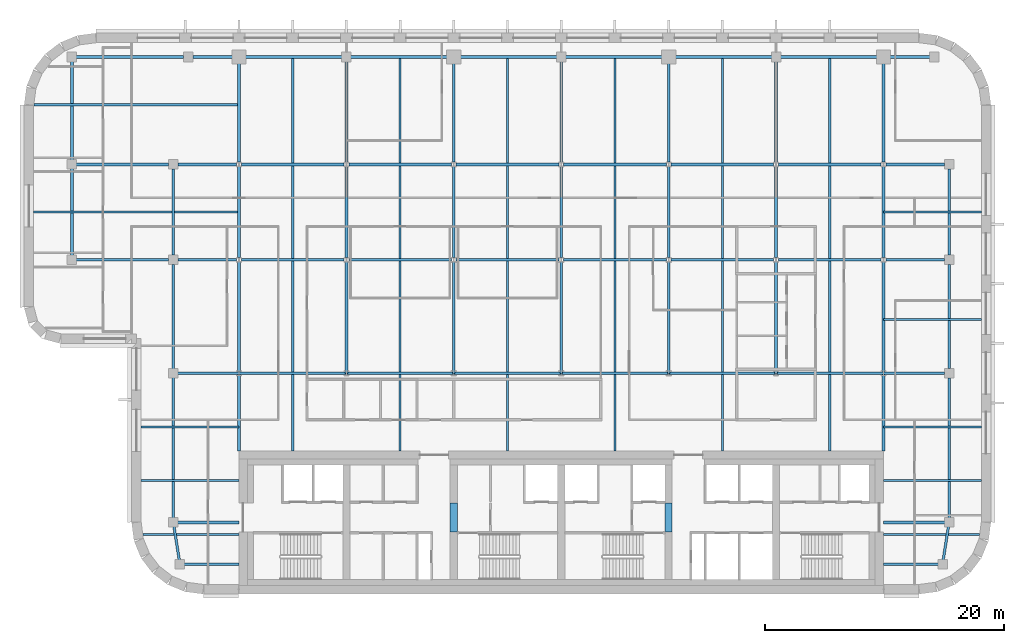
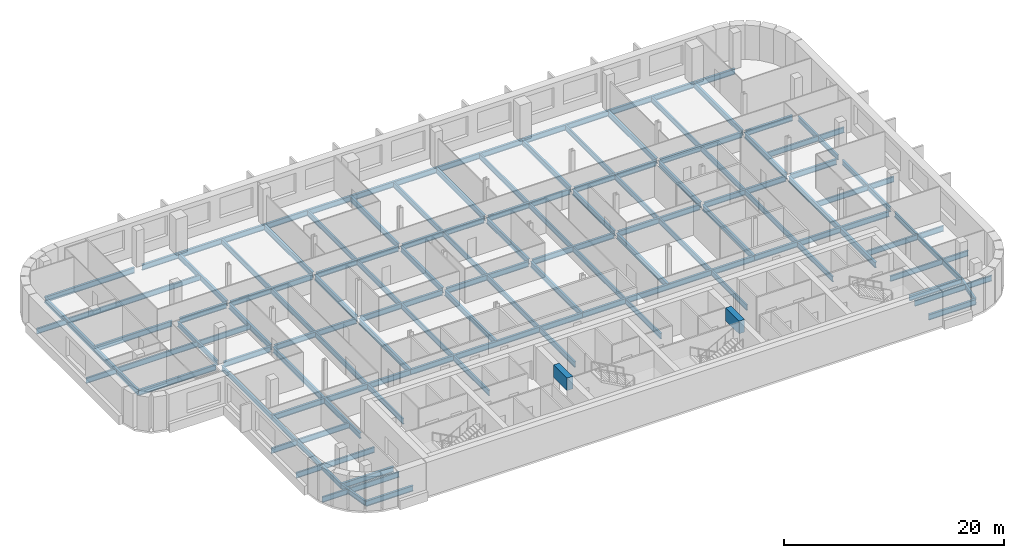
# One storey, part 5 of 17: 80 beams.
"""IFC4 building model written with IfcOpenShell, lengths in metres."""

import ifcopenshell
import ifcopenshell.guid

model = None  # the IFC model being written
_history = None  # IfcOwnerHistory: only IFC2X3 demands one
_inside = {}  # id of a spatial element -> (the spatial element, [elements in it])
_under = {}  # id of a project, library or spatial element -> (it, [spatial elements below it])
_declared = {}  # id of a project -> (the project, [libraries it declares])
_typed = {}  # id of a type object -> (the type object, [elements of that type])
_made_of = {}  # id of a material, layer set ... -> (it, [elements and type objects made of it])


def new_model(schema):
    """Start an empty IFC model of exactly this schema.

    Asked for "IFC4X3", IfcOpenShell would pick the latest addendum, in which some entities
    have other attributes; the version numbers below select the first issue.
    IFC2X3 requires an IfcOwnerHistory on every rooted entity: one is made here for all.
    """
    global model, _history
    if schema == "IFC4X3":
        model = ifcopenshell.file(schema_version=(4, 3, 0, 0))
    else:
        model = ifcopenshell.file(schema=schema)
    _inside.clear()
    _under.clear()
    _declared.clear()
    _typed.clear()
    _made_of.clear()
    _history = None
    if model.schema == "IFC2X3":
        org = make("IfcOrganization", Name="unknown")
        user = make(
            "IfcPersonAndOrganization",
            ThePerson=make("IfcPerson", FamilyName="unknown"),
            TheOrganization=org,
        )
        app = make(
            "IfcApplication",
            ApplicationDeveloper=org,
            Version="unknown",
            ApplicationFullName="unknown",
            ApplicationIdentifier="unknown",
        )
        _history = make(
            "IfcOwnerHistory",
            OwningUser=user,
            OwningApplication=app,
            ChangeAction="ADDED",
            CreationDate=0,
        )
    return model


def make(cls, **values):
    """One entity of the class cls with the attributes given. An attribute that is None is left unset."""
    return model.create_entity(
        cls, **{name: value for name, value in values.items() if value is not None}
    )


def rooted(cls, **values):
    """An entity with a GlobalId (a new one), such as an element, a storey or a relation."""
    return make(cls, GlobalId=ifcopenshell.guid.new(), OwnerHistory=_history, **values)


def si_unit(unit_type, name, prefix=None):
    """IfcSIUnit, for example si_unit("LENGTHUNIT", "METRE", prefix="MILLI")."""
    return make("IfcSIUnit", UnitType=unit_type, Prefix=prefix, Name=name)


def assignment(units):
    """IfcUnitAssignment: the units of a project."""
    return None if units is None else make("IfcUnitAssignment", Units=units)


def point(xyz):
    """IfcCartesianPoint."""
    return None if xyz is None else make("IfcCartesianPoint", Coordinates=xyz)


def direction(xyz):
    """IfcDirection."""
    return None if xyz is None else make("IfcDirection", DirectionRatios=xyz)


def frame(location, z_axis=None, x_axis=None):
    """IfcAxis2Placement3D, a coordinate frame: its origin and axes. An axis left out is left unset."""
    return make(
        "IfcAxis2Placement3D",
        Location=point(location),
        Axis=direction(z_axis),
        RefDirection=direction(x_axis),
    )


def frame_2d(location, x_axis=None):
    """IfcAxis2Placement2D, a coordinate frame in the plane: its origin and x axis."""
    return make(
        "IfcAxis2Placement2D", Location=point(location), RefDirection=direction(x_axis)
    )


def origin():
    """The frame at (0, 0, 0) with its axes left unset."""
    return frame((0.0, 0.0, 0.0))


def origin_2d():
    """The frame at (0, 0) in the plane with its x axis left unset."""
    return frame_2d((0.0, 0.0))


def place(relative_to, where):
    """IfcLocalPlacement: puts the frame where relative to a parent placement (None: the world)."""
    return make(
        "IfcLocalPlacement", PlacementRelTo=relative_to, RelativePlacement=where
    )


def context(
    kind, dimensions, precision=None, world=None, true_north=None, identifier=None
):
    """IfcGeometricRepresentationContext, for example the 3D "Model" context."""
    return make(
        "IfcGeometricRepresentationContext",
        ContextIdentifier=identifier,
        ContextType=kind,
        CoordinateSpaceDimension=dimensions,
        Precision=precision,
        WorldCoordinateSystem=world,
        TrueNorth=true_north,
    )


def subcontext(parent, identifier, kind, view, scale=None):
    """IfcGeometricRepresentationSubContext, for example "Body" below "Model"."""
    return make(
        "IfcGeometricRepresentationSubContext",
        ContextIdentifier=identifier,
        ContextType=kind,
        ParentContext=parent,
        TargetScale=scale,
        TargetView=view,
    )


def project(units=None, contexts=None):
    """IfcProject with its units and contexts."""
    return rooted(
        "IfcProject",
        Name="project",
        RepresentationContexts=contexts,
        UnitsInContext=assignment(units),
    )


def spatial(cls, under=None, at=None, **own):
    """A site, building, storey or space (cls), placed at a placement, below another one or the project."""
    s = rooted(cls, ObjectPlacement=at, **own)
    if under is not None:
        _under.setdefault(under.id(), (under, []))[1].append(s)
    return s


def profile(cls, at=None, kind="AREA", **sizes):
    """A parametric profile (cls). Its sizes go by their IFC names, for example OverallWidth=200.0."""
    return make(cls, ProfileType=kind, Position=at, **sizes)


def rectangle(**sizes):
    """IfcRectangleProfileDef."""
    return profile("IfcRectangleProfileDef", **sizes)


def i_section(**sizes):
    """IfcIShapeProfileDef."""
    return profile("IfcIShapeProfileDef", **sizes)


def extrude(swept, where, along, depth):
    """IfcExtrudedAreaSolid: the profile swept, set in the frame where, extruded along a direction by depth."""
    return make(
        "IfcExtrudedAreaSolid",
        SweptArea=swept,
        Position=where,
        ExtrudedDirection=direction(along),
        Depth=depth,
    )


def shape(context_of_items, identifier, shape_type, items):
    """IfcShapeRepresentation: the items that make up one representation, for example the "Body"."""
    return make(
        "IfcShapeRepresentation",
        ContextOfItems=context_of_items,
        RepresentationIdentifier=identifier,
        RepresentationType=shape_type,
        Items=items,
    )


def material(Name=None, Category=None):
    """IfcMaterial."""
    return make("IfcMaterial", Name=Name, Category=Category)


def material_profile(
    of_material, cross_section, Name=None, Category=None, Priority=None
):
    """IfcMaterialProfile: a cross section and its material."""
    return make(
        "IfcMaterialProfile",
        Name=Name,
        Material=of_material,
        Profile=cross_section,
        Priority=Priority,
        Category=Category,
    )


def profile_set(profiles, Name=None, composite=None):
    """IfcMaterialProfileSet."""
    return make(
        "IfcMaterialProfileSet",
        Name=Name,
        MaterialProfiles=profiles,
        CompositeProfile=composite,
    )


def made_of(thing, what):
    """Note that an element or type object is made of a material, layer set ...; save() writes the relation."""
    if what is not None:
        _made_of.setdefault(what.id(), (what, []))[1].append(thing)
    return thing


def type_object(cls, material=None, **own):
    """A type object (cls), such as IfcWallType, which elements share."""
    return made_of(rooted(cls, **own), material)


def element(
    cls,
    number,
    at=None,
    inside=None,
    cuts=None,
    type_object=None,
    material=None,
    context=None,
    identifier="Body",
    shape_type=None,
    held_by="IfcProductDefinitionShape",
    body=None,
    shapes=None,
    **own,
):
    """One element of the class cls, such as IfcWall. Its Tag is "e" and its number.

    at: its placement. inside: the storey or other place that contains it. cuts: it is an
    opening in that element (IfcRelVoidsElement). A single representation is given by context,
    identifier, shape_type and body (its items); several are given by shapes. held_by: the class
    of the entity that holds the representations. save() writes the other relations.
    """
    e = rooted(cls, Tag="e%d" % number, ObjectPlacement=at, **own)
    if body is not None:
        shapes = [shape(context, identifier, shape_type, body)]
    if shapes is not None:
        e.Representation = make(held_by, Representations=shapes)
    if inside is not None:
        _inside.setdefault(inside.id(), (inside, []))[1].append(e)
    if cuts is not None:
        rooted(
            "IfcRelVoidsElement", RelatingBuildingElement=cuts, RelatedOpeningElement=e
        )
    if type_object is not None:
        _typed.setdefault(type_object.id(), (type_object, []))[1].append(e)
    return made_of(e, material)


def aggregate(whole, parts):
    """IfcRelAggregates: a whole, such as a stair, and the parts it consists of."""
    return rooted("IfcRelAggregates", RelatingObject=whole, RelatedObjects=parts)


def save(model, path):
    """Write the relations noted so far, then the file.

    IfcRelAggregates (storeys below a building ...), IfcRelContainedInSpatialStructure (elements
    in a storey), IfcRelDefinesByType, IfcRelAssociatesMaterial and IfcRelDeclares: one each for
    every whole, place, type object, material and project.
    """
    for whole, parts in _under.values():
        aggregate(whole, parts)
    for where, things in _inside.values():
        rooted(
            "IfcRelContainedInSpatialStructure",
            RelatedElements=things,
            RelatingStructure=where,
        )
    for kind, things in _typed.values():
        rooted("IfcRelDefinesByType", RelatedObjects=things, RelatingType=kind)
    for what, things in _made_of.values():
        rooted("IfcRelAssociatesMaterial", RelatedObjects=things, RelatingMaterial=what)
    for by, libraries in _declared.values():
        rooted("IfcRelDeclares", RelatingContext=by, RelatedDefinitions=libraries)
    model.write(path)


model = new_model("IFC4")

# Units and contexts
model_context = context("Model", 3, precision=1e-05, world=origin(), true_north=direction((0.0, 1.0)))
body_context = subcontext(model_context, "Body", "Model", "MODEL_VIEW")
ifc_project = project(units=[si_unit("LENGTHUNIT", "METRE"), si_unit("AREAUNIT", "SQUARE_METRE"), si_unit("VOLUMEUNIT", "CUBIC_METRE"), si_unit("PLANEANGLEUNIT", "RADIAN"), si_unit("MASSUNIT", "GRAM", prefix="KILO")], contexts=[model_context])

# Site, building, storey
site_placement = place(None, origin())
site = spatial("IfcSite", under=ifc_project, at=site_placement, CompositionType="ELEMENT")
building_placement = place(site_placement, origin())
building = spatial("IfcBuilding", under=site, at=building_placement, Name="Zellij Exchange Tower", CompositionType="ELEMENT")
storey_placement = place(building_placement, frame((0.0, 0.0, 224.5)))
storey = spatial("IfcBuildingStorey", under=building, at=storey_placement, Name="L52", CompositionType="ELEMENT", Elevation=224.5)

# Beams
ifc_material_1 = material(Name="Concrete C50/60", Category="concrete")
ifc_material_profile_1 = material_profile(ifc_material_1, rectangle(XDim=0.60009765625, YDim=1.39990234375, at=origin_2d()), Name="CORE-CB 600x1400 C50/60")
ifc_profile_set_1 = profile_set([ifc_material_profile_1], Name="Concrete C50/60")
beam_type_1 = type_object("IfcBeamType", Name="CORE-CB 600x1400 C50/60", PredefinedType="BEAM", material=ifc_profile_set_1)
for number, where, z_axis, x_axis, name in (
    (1, (-9.0, -8.800048828125, 3.10009765625), (0.0, 1.0, 0.0), (-1.0, 0.0, 0.0), "Core coupling beam x -9 L52"),
    (2, (9.0, -8.800048828125, 3.10009765625), (0.0, 1.0, 0.0), (-1.0, 0.0, 0.0), "Core coupling beam x 9 L52"),
):
    element("IfcBeam", number, at=place(storey_placement, frame(where, z_axis=z_axis, x_axis=x_axis)), inside=storey, type_object=beam_type_1, Name=name, PredefinedType="BEAM", context=body_context, shape_type="SweptSolid", body=[
        extrude(rectangle(XDim=0.60009765625, YDim=1.39990234375, at=origin_2d()), origin(), (0.0, 0.0, 1.0), 2.425048828125),
    ])
ifc_material_2 = material(Name="Structural steel ASTM A992 Gr 50", Category="steel")
ifc_material_profile_2 = material_profile(ifc_material_2, i_section(OverallWidth=0.177978515625, OverallDepth=0.599365234375, WebThickness=0.010009765625, FlangeThickness=0.012939453125, at=origin_2d()), Name="W24x55")
ifc_profile_set_2 = profile_set([ifc_material_profile_2], Name="Structural steel ASTM A992 Gr 50")
beam_type_2 = type_object("IfcBeamType", Name="STR-BEAM W24x55", PredefinedType="BEAM", material=ifc_profile_set_2)
for number, where, z_axis, x_axis, name in (
    (3, (-22.5, -2.0, -0.499755859375), (0.0, 1.0, 0.0), (-1.0, 0.0, 0.0), "B4"),
    (4, (-13.5, -2.0, -0.499755859375), (0.0, 1.0, 0.0), (-1.0, 0.0, 0.0), "B4"),
    (5, (-4.5, -2.0, -0.499755859375), (0.0, 1.0, 0.0), (-1.0, 0.0, 0.0), "B4"),
    (6, (4.5, -2.0, -0.499755859375), (0.0, 1.0, 0.0), (-1.0, 0.0, 0.0), "B4"),
    (7, (13.5, -2.0, -0.499755859375), (0.0, 1.0, 0.0), (-1.0, 0.0, 0.0), "B4"),
    (8, (22.5, -2.0, -0.499755859375), (0.0, 1.0, 0.0), (-1.0, 0.0, 0.0), "B4"),
):
    element("IfcBeam", number, at=place(storey_placement, frame(where, z_axis=z_axis, x_axis=x_axis)), inside=storey, type_object=beam_type_2, Name=name, PredefinedType="BEAM", context=body_context, shape_type="SweptSolid", body=[
        extrude(i_section(OverallWidth=0.177978515625, OverallDepth=0.599365234375, WebThickness=0.010009765625, FlangeThickness=0.012939453125, at=origin_2d()), origin(), (0.0, 0.0, 1.0), 33.1142578125),
    ])
beam_1_placement = place(storey_placement, frame((-35.06103515625, -9.0, -0.499755859375), z_axis=(1.0, 0.0, 0.0), x_axis=(0.0, 1.0, 0.0)))
element("IfcBeam", 9, at=beam_1_placement, inside=storey, type_object=beam_type_2, Name="B4", PredefinedType="BEAM", context=body_context, shape_type="SweptSolid", body=[
    extrude(i_section(OverallWidth=0.177978515625, OverallDepth=0.599365234375, WebThickness=0.010009765625, FlangeThickness=0.012939453125, at=origin_2d()), origin(), (0.0, 0.0, 1.0), 8.06103515625),
])
for number, where, z_axis, x_axis, name in (
    (10, (-35.199951171875, -4.5, -0.499755859375), (1.0, 0.0, 0.0), (0.0, 1.0, 0.0), "B4"),
    (11, (-35.199951171875, 0.0, -0.499755859375), (1.0, 0.0, 0.0), (0.0, 1.0, 0.0), "B4"),
):
    element("IfcBeam", number, at=place(storey_placement, frame(where, z_axis=z_axis, x_axis=x_axis)), inside=storey, type_object=beam_type_2, Name=name, PredefinedType="BEAM", context=body_context, shape_type="SweptSolid", body=[
        extrude(i_section(OverallWidth=0.177978515625, OverallDepth=0.599365234375, WebThickness=0.010009765625, FlangeThickness=0.012939453125, at=origin_2d()), origin(), (0.0, 0.0, 1.0), 8.199951171875),
    ])
beam_2_placement = place(storey_placement, frame((-44.199951171875, 18.0, -0.499755859375), z_axis=(1.0, 0.0, 0.0), x_axis=(0.0, 1.0, 0.0)))
element("IfcBeam", 12, at=beam_2_placement, inside=storey, type_object=beam_type_2, Name="B4", PredefinedType="BEAM", context=body_context, shape_type="SweptSolid", body=[
    extrude(i_section(OverallWidth=0.177978515625, OverallDepth=0.599365234375, WebThickness=0.010009765625, FlangeThickness=0.012939453125, at=origin_2d()), origin(), (0.0, 0.0, 1.0), 17.199951171875),
])
beam_3_placement = place(storey_placement, frame((-44.193115234375, 27.0, -0.499755859375), z_axis=(1.0, 0.0, 0.0), x_axis=(0.0, 1.0, 0.0)))
element("IfcBeam", 13, at=beam_3_placement, inside=storey, type_object=beam_type_2, Name="B4", PredefinedType="BEAM", context=body_context, shape_type="SweptSolid", body=[
    extrude(i_section(OverallWidth=0.177978515625, OverallDepth=0.599365234375, WebThickness=0.010009765625, FlangeThickness=0.012939453125, at=origin_2d()), origin(), (0.0, 0.0, 1.0), 17.193115234375),
])
beam_4_placement = place(storey_placement, frame((27.0, -9.0, -0.499755859375), z_axis=(1.0, 0.0, 0.0), x_axis=(0.0, 1.0, 0.0)))
element("IfcBeam", 14, at=beam_4_placement, inside=storey, type_object=beam_type_2, Name="B4", PredefinedType="BEAM", context=body_context, shape_type="SweptSolid", body=[
    extrude(i_section(OverallWidth=0.177978515625, OverallDepth=0.599365234375, WebThickness=0.010009765625, FlangeThickness=0.012939453125, at=origin_2d()), origin(), (0.0, 0.0, 1.0), 8.06103515625),
])
for number, where, z_axis, x_axis, name in (
    (15, (27.0, -4.5, -0.499755859375), (1.0, 0.0, 0.0), (0.0, 1.0, 0.0), "B4"),
    (16, (27.0, 0.0, -0.499755859375), (1.0, 0.0, 0.0), (0.0, 1.0, 0.0), "B4"),
    (17, (27.0, 9.0, -0.499755859375), (1.0, 0.0, 0.0), (0.0, 1.0, 0.0), "B4"),
    (18, (27.0, 18.0, -0.499755859375), (1.0, 0.0, 0.0), (0.0, 1.0, 0.0), "B4"),
):
    element("IfcBeam", number, at=place(storey_placement, frame(where, z_axis=z_axis, x_axis=x_axis)), inside=storey, type_object=beam_type_2, Name=name, PredefinedType="BEAM", context=body_context, shape_type="SweptSolid", body=[
        extrude(i_section(OverallWidth=0.177978515625, OverallDepth=0.599365234375, WebThickness=0.010009765625, FlangeThickness=0.012939453125, at=origin_2d()), origin(), (0.0, 0.0, 1.0), 8.199951171875),
    ])
ifc_material_profile_3 = material_profile(ifc_material_2, i_section(OverallWidth=0.209228515625, OverallDepth=0.533447265625, WebThickness=0.01025390625, FlangeThickness=0.015625, at=origin_2d()), Name="W21x62")
ifc_profile_set_3 = profile_set([ifc_material_profile_3], Name="Structural steel ASTM A992 Gr 50")
beam_type_3 = type_object("IfcBeamType", Name="STR-EDGE GIRDER W21x62", PredefinedType="BEAM", material=ifc_profile_set_3)
beam_5_placement = place(storey_placement, frame((-31.949951171875, -11.5, -0.466796875), z_axis=(-0.155251283593, 0.987875011802, 0.0), x_axis=(-0.987875011802, -0.155251283593, 0.0)))
element("IfcBeam", 19, at=beam_5_placement, inside=storey, type_object=beam_type_3, Name="EB3", PredefinedType="BEAM", context=body_context, shape_type="SweptSolid", body=[
    extrude(i_section(OverallWidth=0.209228515625, OverallDepth=0.533447265625, WebThickness=0.01025390625, FlangeThickness=0.015625, at=origin_2d()), origin(), (0.0, 0.0, 1.0), 3.54296875),
])
beam_6_placement = place(storey_placement, frame((-32.5, -8.0, -0.466796875), z_axis=(0.0, 1.0, 0.0), x_axis=(-1.0, 0.0, 0.0)))
element("IfcBeam", 20, at=beam_6_placement, inside=storey, type_object=beam_type_3, Name="EB3", PredefinedType="BEAM", context=body_context, shape_type="SweptSolid", body=[
    extrude(i_section(OverallWidth=0.209228515625, OverallDepth=0.533447265625, WebThickness=0.01025390625, FlangeThickness=0.015625, at=origin_2d()), origin(), (0.0, 0.0, 1.0), 12.5),
])
beam_7_placement = place(storey_placement, frame((-32.5, 4.5, -0.466796875), z_axis=(0.0, 1.0, 0.0), x_axis=(-1.0, 0.0, 0.0)))
element("IfcBeam", 21, at=beam_7_placement, inside=storey, type_object=beam_type_3, Name="EB3", PredefinedType="BEAM", context=body_context, shape_type="SweptSolid", body=[
    extrude(i_section(OverallWidth=0.209228515625, OverallDepth=0.533447265625, WebThickness=0.01025390625, FlangeThickness=0.015625, at=origin_2d()), origin(), (0.0, 0.0, 1.0), 9.10009765625),
])
beam_8_placement = place(storey_placement, frame((-32.5, 14.39990234375, -0.466796875), z_axis=(0.0, 1.0, 0.0), x_axis=(-1.0, 0.0, 0.0)))
element("IfcBeam", 22, at=beam_8_placement, inside=storey, type_object=beam_type_3, Name="EB3", PredefinedType="BEAM", context=body_context, shape_type="SweptSolid", body=[
    extrude(i_section(OverallWidth=0.209228515625, OverallDepth=0.533447265625, WebThickness=0.01025390625, FlangeThickness=0.015625, at=origin_2d()), origin(), (0.0, 0.0, 1.0), 7.2001953125),
])
beam_9_placement = place(storey_placement, frame((31.949951171875, -11.5, -0.466796875), z_axis=(0.155251283593, 0.987875011802, 0.0), x_axis=(-0.987875011802, 0.155251283593, 0.0)))
element("IfcBeam", 23, at=beam_9_placement, inside=storey, type_object=beam_type_3, Name="EB3", PredefinedType="BEAM", context=body_context, shape_type="SweptSolid", body=[
    extrude(i_section(OverallWidth=0.209228515625, OverallDepth=0.533447265625, WebThickness=0.01025390625, FlangeThickness=0.015625, at=origin_2d()), origin(), (0.0, 0.0, 1.0), 3.54296875),
])
beam_10_placement = place(storey_placement, frame((32.5, -8.0, -0.466796875), z_axis=(0.0, 1.0, 0.0), x_axis=(-1.0, 0.0, 0.0)))
element("IfcBeam", 24, at=beam_10_placement, inside=storey, type_object=beam_type_3, Name="EB3", PredefinedType="BEAM", context=body_context, shape_type="SweptSolid", body=[
    extrude(i_section(OverallWidth=0.209228515625, OverallDepth=0.533447265625, WebThickness=0.01025390625, FlangeThickness=0.015625, at=origin_2d()), origin(), (0.0, 0.0, 1.0), 12.10009765625),
])
beam_11_placement = place(storey_placement, frame((32.5, 4.89990234375, -0.466796875), z_axis=(0.0, 1.0, 0.0), x_axis=(-1.0, 0.0, 0.0)))
element("IfcBeam", 25, at=beam_11_placement, inside=storey, type_object=beam_type_3, Name="EB3", PredefinedType="BEAM", context=body_context, shape_type="SweptSolid", body=[
    extrude(i_section(OverallWidth=0.209228515625, OverallDepth=0.533447265625, WebThickness=0.01025390625, FlangeThickness=0.015625, at=origin_2d()), origin(), (0.0, 0.0, 1.0), 8.7001953125),
])
beam_12_placement = place(storey_placement, frame((32.5, 14.39990234375, -0.466796875), z_axis=(0.0, 1.0, 0.0), x_axis=(-1.0, 0.0, 0.0)))
element("IfcBeam", 26, at=beam_12_placement, inside=storey, type_object=beam_type_3, Name="EB3", PredefinedType="BEAM", context=body_context, shape_type="SweptSolid", body=[
    extrude(i_section(OverallWidth=0.209228515625, OverallDepth=0.533447265625, WebThickness=0.01025390625, FlangeThickness=0.015625, at=origin_2d()), origin(), (0.0, 0.0, 1.0), 7.2001953125),
])
ifc_material_profile_4 = material_profile(ifc_material_2, i_section(OverallWidth=0.228271484375, OverallDepth=0.607177734375, WebThickness=0.01123046875, FlangeThickness=0.017333984375, at=origin_2d()), Name="W24x76")
ifc_profile_set_4 = profile_set([ifc_material_profile_4], Name="Structural steel ASTM A992 Gr 50")
beam_type_4 = type_object("IfcBeamType", Name="STR-GIRDER W24x76", PredefinedType="BEAM", material=ifc_profile_set_4)
for number, where, z_axis, x_axis, name in (
    (27, (-31.949951171875, -11.5, -0.50341796875), (1.0, 0.0, 0.0), (0.0, 1.0, 0.0), "G2"),
    (28, (27.0, -11.5, -0.50341796875), (1.0, 0.0, 0.0), (0.0, 1.0, 0.0), "G2"),
):
    element("IfcBeam", number, at=place(storey_placement, frame(where, z_axis=z_axis, x_axis=x_axis)), inside=storey, type_object=beam_type_4, Name=name, PredefinedType="BEAM", context=body_context, shape_type="SweptSolid", body=[
        extrude(i_section(OverallWidth=0.228271484375, OverallDepth=0.607177734375, WebThickness=0.01123046875, FlangeThickness=0.017333984375, at=origin_2d()), origin(), (0.0, 0.0, 1.0), 4.949951171875),
    ])
for number, where, z_axis, x_axis, name in (
    (29, (-32.5, -8.0, -0.50341796875), (1.0, 0.0, 0.0), (0.0, 1.0, 0.0), "G2"),
    (30, (27.0, -8.0, -0.50341796875), (1.0, 0.0, 0.0), (0.0, 1.0, 0.0), "G2"),
):
    element("IfcBeam", number, at=place(storey_placement, frame(where, z_axis=z_axis, x_axis=x_axis)), inside=storey, type_object=beam_type_4, Name=name, PredefinedType="BEAM", context=body_context, shape_type="SweptSolid", body=[
        extrude(i_section(OverallWidth=0.228271484375, OverallDepth=0.607177734375, WebThickness=0.01123046875, FlangeThickness=0.017333984375, at=origin_2d()), origin(), (0.0, 0.0, 1.0), 5.5),
    ])
beam_13_placement = place(storey_placement, frame((-32.5, 4.5, -0.50341796875), z_axis=(1.0, 0.0, 0.0), x_axis=(0.0, 1.0, 0.0)))
element("IfcBeam", 31, at=beam_13_placement, inside=storey, type_object=beam_type_4, Name="G2", PredefinedType="BEAM", context=body_context, shape_type="SweptSolid", body=[
    extrude(i_section(OverallWidth=0.228271484375, OverallDepth=0.607177734375, WebThickness=0.01123046875, FlangeThickness=0.017333984375, at=origin_2d()), origin(), (0.0, 0.0, 1.0), 14.5),
])
for number, where, z_axis, x_axis, name in (
    (32, (-18.0, 4.5, -0.50341796875), (1.0, 0.0, 0.0), (0.0, 1.0, 0.0), "G2"),
    (33, (0.0, 4.5, -0.50341796875), (1.0, 0.0, 0.0), (0.0, 1.0, 0.0), "G2"),
):
    element("IfcBeam", number, at=place(storey_placement, frame(where, z_axis=z_axis, x_axis=x_axis)), inside=storey, type_object=beam_type_4, Name=name, PredefinedType="BEAM", context=body_context, shape_type="SweptSolid", body=[
        extrude(i_section(OverallWidth=0.228271484375, OverallDepth=0.607177734375, WebThickness=0.01123046875, FlangeThickness=0.017333984375, at=origin_2d()), origin(), (0.0, 0.0, 1.0), 18.0),
    ])
beam_14_placement = place(storey_placement, frame((18.0, 4.5, -0.50341796875), z_axis=(1.0, 0.0, 0.0), x_axis=(0.0, 1.0, 0.0)))
element("IfcBeam", 34, at=beam_14_placement, inside=storey, type_object=beam_type_4, Name="G2", PredefinedType="BEAM", context=body_context, shape_type="SweptSolid", body=[
    extrude(i_section(OverallWidth=0.228271484375, OverallDepth=0.607177734375, WebThickness=0.01123046875, FlangeThickness=0.017333984375, at=origin_2d()), origin(), (0.0, 0.0, 1.0), 14.10009765625),
])
beam_15_placement = place(storey_placement, frame((-41.0, 14.0, -0.50341796875), z_axis=(1.0, 0.0, 0.0), x_axis=(0.0, 1.0, 0.0)))
element("IfcBeam", 35, at=beam_15_placement, inside=storey, type_object=beam_type_4, Name="G2", PredefinedType="BEAM", context=body_context, shape_type="SweptSolid", body=[
    extrude(i_section(OverallWidth=0.228271484375, OverallDepth=0.607177734375, WebThickness=0.01123046875, FlangeThickness=0.017333984375, at=origin_2d()), origin(), (0.0, 0.0, 1.0), 8.10009765625),
])
beam_16_placement = place(storey_placement, frame((-32.10009765625, 14.0, -0.50341796875), z_axis=(1.0, 0.0, 0.0), x_axis=(0.0, 1.0, 0.0)))
element("IfcBeam", 36, at=beam_16_placement, inside=storey, type_object=beam_type_4, Name="G2", PredefinedType="BEAM", context=body_context, shape_type="SweptSolid", body=[
    extrude(i_section(OverallWidth=0.228271484375, OverallDepth=0.607177734375, WebThickness=0.01123046875, FlangeThickness=0.017333984375, at=origin_2d()), origin(), (0.0, 0.0, 1.0), 4.900634765625),
])
for number, where, z_axis, x_axis, name in (
    (37, (-26.800537109375, 14.0, -0.50341796875), (1.0, 0.0, 0.0), (0.0, 1.0, 0.0), "G2"),
    (38, (-17.800537109375, 14.0, -0.50341796875), (1.0, 0.0, 0.0), (0.0, 1.0, 0.0), "G2"),
    (39, (-8.800537109375, 14.0, -0.50341796875), (1.0, 0.0, 0.0), (0.0, 1.0, 0.0), "G2"),
    (40, (0.199462890625, 14.0, -0.50341796875), (1.0, 0.0, 0.0), (0.0, 1.0, 0.0), "G2"),
    (41, (9.199462890625, 14.0, -0.50341796875), (1.0, 0.0, 0.0), (0.0, 1.0, 0.0), "G2"),
    (42, (18.199462890625, 14.0, -0.50341796875), (1.0, 0.0, 0.0), (0.0, 1.0, 0.0), "G2"),
):
    element("IfcBeam", number, at=place(storey_placement, frame(where, z_axis=z_axis, x_axis=x_axis)), inside=storey, type_object=beam_type_4, Name=name, PredefinedType="BEAM", context=body_context, shape_type="SweptSolid", body=[
        extrude(i_section(OverallWidth=0.228271484375, OverallDepth=0.607177734375, WebThickness=0.01123046875, FlangeThickness=0.017333984375, at=origin_2d()), origin(), (0.0, 0.0, 1.0), 8.60107421875),
    ])
beam_17_placement = place(storey_placement, frame((27.199462890625, 14.0, -0.50341796875), z_axis=(1.0, 0.0, 0.0), x_axis=(0.0, 1.0, 0.0)))
element("IfcBeam", 43, at=beam_17_placement, inside=storey, type_object=beam_type_4, Name="G2", PredefinedType="BEAM", context=body_context, shape_type="SweptSolid", body=[
    extrude(i_section(OverallWidth=0.228271484375, OverallDepth=0.607177734375, WebThickness=0.01123046875, FlangeThickness=0.017333984375, at=origin_2d()), origin(), (0.0, 0.0, 1.0), 4.900634765625),
])
beam_18_placement = place(storey_placement, frame((-41.0, 22.0, -0.50341796875), z_axis=(1.0, 0.0, 0.0), x_axis=(0.0, 1.0, 0.0)))
element("IfcBeam", 44, at=beam_18_placement, inside=storey, type_object=beam_type_4, Name="G2", PredefinedType="BEAM", context=body_context, shape_type="SweptSolid", body=[
    extrude(i_section(OverallWidth=0.228271484375, OverallDepth=0.607177734375, WebThickness=0.01123046875, FlangeThickness=0.017333984375, at=origin_2d()), origin(), (0.0, 0.0, 1.0), 8.10009765625),
])
beam_19_placement = place(storey_placement, frame((-32.10009765625, 22.0, -0.50341796875), z_axis=(1.0, 0.0, 0.0), x_axis=(0.0, 1.0, 0.0)))
element("IfcBeam", 45, at=beam_19_placement, inside=storey, type_object=beam_type_4, Name="G2", PredefinedType="BEAM", context=body_context, shape_type="SweptSolid", body=[
    extrude(i_section(OverallWidth=0.228271484375, OverallDepth=0.607177734375, WebThickness=0.01123046875, FlangeThickness=0.017333984375, at=origin_2d()), origin(), (0.0, 0.0, 1.0), 4.900634765625),
])
for number, where, z_axis, x_axis, name in (
    (46, (-26.800537109375, 22.0, -0.50341796875), (1.0, 0.0, 0.0), (0.0, 1.0, 0.0), "G2"),
    (47, (-17.800537109375, 22.0, -0.50341796875), (1.0, 0.0, 0.0), (0.0, 1.0, 0.0), "G2"),
    (48, (-8.800537109375, 22.0, -0.50341796875), (1.0, 0.0, 0.0), (0.0, 1.0, 0.0), "G2"),
    (49, (0.199462890625, 22.0, -0.50341796875), (1.0, 0.0, 0.0), (0.0, 1.0, 0.0), "G2"),
    (50, (9.199462890625, 22.0, -0.50341796875), (1.0, 0.0, 0.0), (0.0, 1.0, 0.0), "G2"),
    (51, (18.199462890625, 22.0, -0.50341796875), (1.0, 0.0, 0.0), (0.0, 1.0, 0.0), "G2"),
):
    element("IfcBeam", number, at=place(storey_placement, frame(where, z_axis=z_axis, x_axis=x_axis)), inside=storey, type_object=beam_type_4, Name=name, PredefinedType="BEAM", context=body_context, shape_type="SweptSolid", body=[
        extrude(i_section(OverallWidth=0.228271484375, OverallDepth=0.607177734375, WebThickness=0.01123046875, FlangeThickness=0.017333984375, at=origin_2d()), origin(), (0.0, 0.0, 1.0), 8.60107421875),
    ])
beam_20_placement = place(storey_placement, frame((27.199462890625, 22.0, -0.50341796875), z_axis=(1.0, 0.0, 0.0), x_axis=(0.0, 1.0, 0.0)))
element("IfcBeam", 52, at=beam_20_placement, inside=storey, type_object=beam_type_4, Name="G2", PredefinedType="BEAM", context=body_context, shape_type="SweptSolid", body=[
    extrude(i_section(OverallWidth=0.228271484375, OverallDepth=0.607177734375, WebThickness=0.01123046875, FlangeThickness=0.017333984375, at=origin_2d()), origin(), (0.0, 0.0, 1.0), 4.900634765625),
])
beam_21_placement = place(storey_placement, frame((-41.0, 31.0, -0.50341796875), z_axis=(1.0, 0.0, 0.0), x_axis=(0.0, 1.0, 0.0)))
element("IfcBeam", 53, at=beam_21_placement, inside=storey, type_object=beam_type_4, Name="G2", PredefinedType="BEAM", context=body_context, shape_type="SweptSolid", body=[
    extrude(i_section(OverallWidth=0.228271484375, OverallDepth=0.607177734375, WebThickness=0.01123046875, FlangeThickness=0.017333984375, at=origin_2d()), origin(), (0.0, 0.0, 1.0), 9.35009765625),
])
beam_22_placement = place(storey_placement, frame((-30.85009765625, 31.0, -0.50341796875), z_axis=(1.0, 0.0, 0.0), x_axis=(0.0, 1.0, 0.0)))
element("IfcBeam", 54, at=beam_22_placement, inside=storey, type_object=beam_type_4, Name="G2", PredefinedType="BEAM", context=body_context, shape_type="SweptSolid", body=[
    extrude(i_section(OverallWidth=0.228271484375, OverallDepth=0.607177734375, WebThickness=0.01123046875, FlangeThickness=0.017333984375, at=origin_2d()), origin(), (0.0, 0.0, 1.0), 3.85009765625),
])
for number, where, z_axis, x_axis, name in (
    (55, (-27.0, 31.0, -0.50341796875), (1.0, 0.0, 0.0), (0.0, 1.0, 0.0), "G2"),
    (56, (-9.0, 31.0, -0.50341796875), (1.0, 0.0, 0.0), (0.0, 1.0, 0.0), "G2"),
    (57, (9.0, 31.0, -0.50341796875), (1.0, 0.0, 0.0), (0.0, 1.0, 0.0), "G2"),
):
    element("IfcBeam", number, at=place(storey_placement, frame(where, z_axis=z_axis, x_axis=x_axis)), inside=storey, type_object=beam_type_4, Name=name, PredefinedType="BEAM", context=body_context, shape_type="SweptSolid", body=[
        extrude(i_section(OverallWidth=0.228271484375, OverallDepth=0.607177734375, WebThickness=0.01123046875, FlangeThickness=0.017333984375, at=origin_2d()), origin(), (0.0, 0.0, 1.0), 18.0),
    ])
beam_23_placement = place(storey_placement, frame((27.0, 31.0, -0.50341796875), z_axis=(1.0, 0.0, 0.0), x_axis=(0.0, 1.0, 0.0)))
element("IfcBeam", 58, at=beam_23_placement, inside=storey, type_object=beam_type_4, Name="G2", PredefinedType="BEAM", context=body_context, shape_type="SweptSolid", body=[
    extrude(i_section(OverallWidth=0.228271484375, OverallDepth=0.607177734375, WebThickness=0.01123046875, FlangeThickness=0.017333984375, at=origin_2d()), origin(), (0.0, 0.0, 1.0), 4.25),
])
beam_24_placement = place(storey_placement, frame((-41.0, 14.0, -0.50341796875), z_axis=(0.0, 1.0, 0.0), x_axis=(-1.0, 0.0, 0.0)))
element("IfcBeam", 59, at=beam_24_placement, inside=storey, type_object=beam_type_4, Name="G2", PredefinedType="BEAM", context=body_context, shape_type="SweptSolid", body=[
    extrude(i_section(OverallWidth=0.228271484375, OverallDepth=0.607177734375, WebThickness=0.01123046875, FlangeThickness=0.017333984375, at=origin_2d()), origin(), (0.0, 0.0, 1.0), 17.0),
])
beam_25_placement = place(storey_placement, frame((-27.0, -2.0, -0.50341796875), z_axis=(0.0, 1.0, 0.0), x_axis=(-1.0, 0.0, 0.0)))
element("IfcBeam", 60, at=beam_25_placement, inside=storey, type_object=beam_type_4, Name="G2", PredefinedType="BEAM", context=body_context, shape_type="SweptSolid", body=[
    extrude(i_section(OverallWidth=0.228271484375, OverallDepth=0.607177734375, WebThickness=0.01123046875, FlangeThickness=0.017333984375, at=origin_2d()), origin(), (0.0, 0.0, 1.0), 15.806884765625),
])
beam_26_placement = place(storey_placement, frame((-27.0, 14.193115234375, -0.50341796875), z_axis=(0.0, 1.0, 0.0), x_axis=(-1.0, 0.0, 0.0)))
element("IfcBeam", 61, at=beam_26_placement, inside=storey, type_object=beam_type_4, Name="G2", PredefinedType="BEAM", context=body_context, shape_type="SweptSolid", body=[
    extrude(i_section(OverallWidth=0.228271484375, OverallDepth=0.607177734375, WebThickness=0.01123046875, FlangeThickness=0.017333984375, at=origin_2d()), origin(), (0.0, 0.0, 1.0), 7.61376953125),
])
beam_27_placement = place(storey_placement, frame((-27.0, 22.193115234375, -0.50341796875), z_axis=(0.0, 1.0, 0.0), x_axis=(-1.0, 0.0, 0.0)))
element("IfcBeam", 62, at=beam_27_placement, inside=storey, type_object=beam_type_4, Name="G2", PredefinedType="BEAM", context=body_context, shape_type="SweptSolid", body=[
    extrude(i_section(OverallWidth=0.228271484375, OverallDepth=0.607177734375, WebThickness=0.01123046875, FlangeThickness=0.017333984375, at=origin_2d()), origin(), (0.0, 0.0, 1.0), 8.806884765625),
])
beam_28_placement = place(storey_placement, frame((-18.0, 4.5, -0.50341796875), z_axis=(0.0, 1.0, 0.0), x_axis=(-1.0, 0.0, 0.0)))
element("IfcBeam", 63, at=beam_28_placement, inside=storey, type_object=beam_type_4, Name="G2", PredefinedType="BEAM", context=body_context, shape_type="SweptSolid", body=[
    extrude(i_section(OverallWidth=0.228271484375, OverallDepth=0.607177734375, WebThickness=0.01123046875, FlangeThickness=0.017333984375, at=origin_2d()), origin(), (0.0, 0.0, 1.0), 9.306884765625),
])
beam_29_placement = place(storey_placement, frame((-18.0, 14.193115234375, -0.50341796875), z_axis=(0.0, 1.0, 0.0), x_axis=(-1.0, 0.0, 0.0)))
element("IfcBeam", 64, at=beam_29_placement, inside=storey, type_object=beam_type_4, Name="G2", PredefinedType="BEAM", context=body_context, shape_type="SweptSolid", body=[
    extrude(i_section(OverallWidth=0.228271484375, OverallDepth=0.607177734375, WebThickness=0.01123046875, FlangeThickness=0.017333984375, at=origin_2d()), origin(), (0.0, 0.0, 1.0), 7.61376953125),
])
beam_30_placement = place(storey_placement, frame((-18.0, 22.193115234375, -0.50341796875), z_axis=(0.0, 1.0, 0.0), x_axis=(-1.0, 0.0, 0.0)))
element("IfcBeam", 65, at=beam_30_placement, inside=storey, type_object=beam_type_4, Name="G2", PredefinedType="BEAM", context=body_context, shape_type="SweptSolid", body=[
    extrude(i_section(OverallWidth=0.228271484375, OverallDepth=0.607177734375, WebThickness=0.01123046875, FlangeThickness=0.017333984375, at=origin_2d()), origin(), (0.0, 0.0, 1.0), 8.806884765625),
])
beam_31_placement = place(storey_placement, frame((-9.0, 4.5, -0.50341796875), z_axis=(0.0, 1.0, 0.0), x_axis=(-1.0, 0.0, 0.0)))
element("IfcBeam", 66, at=beam_31_placement, inside=storey, type_object=beam_type_4, Name="G2", PredefinedType="BEAM", context=body_context, shape_type="SweptSolid", body=[
    extrude(i_section(OverallWidth=0.228271484375, OverallDepth=0.607177734375, WebThickness=0.01123046875, FlangeThickness=0.017333984375, at=origin_2d()), origin(), (0.0, 0.0, 1.0), 9.306884765625),
])
beam_32_placement = place(storey_placement, frame((-9.0, 14.193115234375, -0.50341796875), z_axis=(0.0, 1.0, 0.0), x_axis=(-1.0, 0.0, 0.0)))
element("IfcBeam", 67, at=beam_32_placement, inside=storey, type_object=beam_type_4, Name="G2", PredefinedType="BEAM", context=body_context, shape_type="SweptSolid", body=[
    extrude(i_section(OverallWidth=0.228271484375, OverallDepth=0.607177734375, WebThickness=0.01123046875, FlangeThickness=0.017333984375, at=origin_2d()), origin(), (0.0, 0.0, 1.0), 7.61376953125),
])
beam_33_placement = place(storey_placement, frame((-9.0, 22.193115234375, -0.50341796875), z_axis=(0.0, 1.0, 0.0), x_axis=(-1.0, 0.0, 0.0)))
element("IfcBeam", 68, at=beam_33_placement, inside=storey, type_object=beam_type_4, Name="G2", PredefinedType="BEAM", context=body_context, shape_type="SweptSolid", body=[
    extrude(i_section(OverallWidth=0.228271484375, OverallDepth=0.607177734375, WebThickness=0.01123046875, FlangeThickness=0.017333984375, at=origin_2d()), origin(), (0.0, 0.0, 1.0), 8.806884765625),
])
beam_34_placement = place(storey_placement, frame((0.0, 4.5, -0.50341796875), z_axis=(0.0, 1.0, 0.0), x_axis=(-1.0, 0.0, 0.0)))
element("IfcBeam", 69, at=beam_34_placement, inside=storey, type_object=beam_type_4, Name="G2", PredefinedType="BEAM", context=body_context, shape_type="SweptSolid", body=[
    extrude(i_section(OverallWidth=0.228271484375, OverallDepth=0.607177734375, WebThickness=0.01123046875, FlangeThickness=0.017333984375, at=origin_2d()), origin(), (0.0, 0.0, 1.0), 9.306884765625),
])
beam_35_placement = place(storey_placement, frame((0.0, 14.193115234375, -0.50341796875), z_axis=(0.0, 1.0, 0.0), x_axis=(-1.0, 0.0, 0.0)))
element("IfcBeam", 70, at=beam_35_placement, inside=storey, type_object=beam_type_4, Name="G2", PredefinedType="BEAM", context=body_context, shape_type="SweptSolid", body=[
    extrude(i_section(OverallWidth=0.228271484375, OverallDepth=0.607177734375, WebThickness=0.01123046875, FlangeThickness=0.017333984375, at=origin_2d()), origin(), (0.0, 0.0, 1.0), 7.61376953125),
])
beam_36_placement = place(storey_placement, frame((0.0, 22.193115234375, -0.50341796875), z_axis=(0.0, 1.0, 0.0), x_axis=(-1.0, 0.0, 0.0)))
element("IfcBeam", 71, at=beam_36_placement, inside=storey, type_object=beam_type_4, Name="G2", PredefinedType="BEAM", context=body_context, shape_type="SweptSolid", body=[
    extrude(i_section(OverallWidth=0.228271484375, OverallDepth=0.607177734375, WebThickness=0.01123046875, FlangeThickness=0.017333984375, at=origin_2d()), origin(), (0.0, 0.0, 1.0), 8.806884765625),
])
beam_37_placement = place(storey_placement, frame((9.0, 4.5, -0.50341796875), z_axis=(0.0, 1.0, 0.0), x_axis=(-1.0, 0.0, 0.0)))
element("IfcBeam", 72, at=beam_37_placement, inside=storey, type_object=beam_type_4, Name="G2", PredefinedType="BEAM", context=body_context, shape_type="SweptSolid", body=[
    extrude(i_section(OverallWidth=0.228271484375, OverallDepth=0.607177734375, WebThickness=0.01123046875, FlangeThickness=0.017333984375, at=origin_2d()), origin(), (0.0, 0.0, 1.0), 9.306884765625),
])
beam_38_placement = place(storey_placement, frame((9.0, 14.193115234375, -0.50341796875), z_axis=(0.0, 1.0, 0.0), x_axis=(-1.0, 0.0, 0.0)))
element("IfcBeam", 73, at=beam_38_placement, inside=storey, type_object=beam_type_4, Name="G2", PredefinedType="BEAM", context=body_context, shape_type="SweptSolid", body=[
    extrude(i_section(OverallWidth=0.228271484375, OverallDepth=0.607177734375, WebThickness=0.01123046875, FlangeThickness=0.017333984375, at=origin_2d()), origin(), (0.0, 0.0, 1.0), 7.61376953125),
])
beam_39_placement = place(storey_placement, frame((9.0, 22.193115234375, -0.50341796875), z_axis=(0.0, 1.0, 0.0), x_axis=(-1.0, 0.0, 0.0)))
element("IfcBeam", 74, at=beam_39_placement, inside=storey, type_object=beam_type_4, Name="G2", PredefinedType="BEAM", context=body_context, shape_type="SweptSolid", body=[
    extrude(i_section(OverallWidth=0.228271484375, OverallDepth=0.607177734375, WebThickness=0.01123046875, FlangeThickness=0.017333984375, at=origin_2d()), origin(), (0.0, 0.0, 1.0), 8.806884765625),
])
beam_40_placement = place(storey_placement, frame((18.0, 4.5, -0.50341796875), z_axis=(0.0, 1.0, 0.0), x_axis=(-1.0, 0.0, 0.0)))
element("IfcBeam", 75, at=beam_40_placement, inside=storey, type_object=beam_type_4, Name="G2", PredefinedType="BEAM", context=body_context, shape_type="SweptSolid", body=[
    extrude(i_section(OverallWidth=0.228271484375, OverallDepth=0.607177734375, WebThickness=0.01123046875, FlangeThickness=0.017333984375, at=origin_2d()), origin(), (0.0, 0.0, 1.0), 9.306884765625),
])
beam_41_placement = place(storey_placement, frame((18.0, 14.193115234375, -0.50341796875), z_axis=(0.0, 1.0, 0.0), x_axis=(-1.0, 0.0, 0.0)))
element("IfcBeam", 76, at=beam_41_placement, inside=storey, type_object=beam_type_4, Name="G2", PredefinedType="BEAM", context=body_context, shape_type="SweptSolid", body=[
    extrude(i_section(OverallWidth=0.228271484375, OverallDepth=0.607177734375, WebThickness=0.01123046875, FlangeThickness=0.017333984375, at=origin_2d()), origin(), (0.0, 0.0, 1.0), 7.61376953125),
])
beam_42_placement = place(storey_placement, frame((18.0, 22.193115234375, -0.50341796875), z_axis=(0.0, 1.0, 0.0), x_axis=(-1.0, 0.0, 0.0)))
element("IfcBeam", 77, at=beam_42_placement, inside=storey, type_object=beam_type_4, Name="G2", PredefinedType="BEAM", context=body_context, shape_type="SweptSolid", body=[
    extrude(i_section(OverallWidth=0.228271484375, OverallDepth=0.607177734375, WebThickness=0.01123046875, FlangeThickness=0.017333984375, at=origin_2d()), origin(), (0.0, 0.0, 1.0), 8.806884765625),
])
beam_43_placement = place(storey_placement, frame((27.0, -2.0, -0.50341796875), z_axis=(0.0, 1.0, 0.0), x_axis=(-1.0, 0.0, 0.0)))
element("IfcBeam", 78, at=beam_43_placement, inside=storey, type_object=beam_type_4, Name="G2", PredefinedType="BEAM", context=body_context, shape_type="SweptSolid", body=[
    extrude(i_section(OverallWidth=0.228271484375, OverallDepth=0.607177734375, WebThickness=0.01123046875, FlangeThickness=0.017333984375, at=origin_2d()), origin(), (0.0, 0.0, 1.0), 15.806884765625),
])
beam_44_placement = place(storey_placement, frame((27.0, 14.193115234375, -0.50341796875), z_axis=(0.0, 1.0, 0.0), x_axis=(-1.0, 0.0, 0.0)))
element("IfcBeam", 79, at=beam_44_placement, inside=storey, type_object=beam_type_4, Name="G2", PredefinedType="BEAM", context=body_context, shape_type="SweptSolid", body=[
    extrude(i_section(OverallWidth=0.228271484375, OverallDepth=0.607177734375, WebThickness=0.01123046875, FlangeThickness=0.017333984375, at=origin_2d()), origin(), (0.0, 0.0, 1.0), 7.61376953125),
])
beam_45_placement = place(storey_placement, frame((27.0, 22.193115234375, -0.50341796875), z_axis=(0.0, 1.0, 0.0), x_axis=(-1.0, 0.0, 0.0)))
element("IfcBeam", 80, at=beam_45_placement, inside=storey, type_object=beam_type_4, Name="G2", PredefinedType="BEAM", context=body_context, shape_type="SweptSolid", body=[
    extrude(i_section(OverallWidth=0.228271484375, OverallDepth=0.607177734375, WebThickness=0.01123046875, FlangeThickness=0.017333984375, at=origin_2d()), origin(), (0.0, 0.0, 1.0), 8.806884765625),
])

save(model, "model.ifc")
